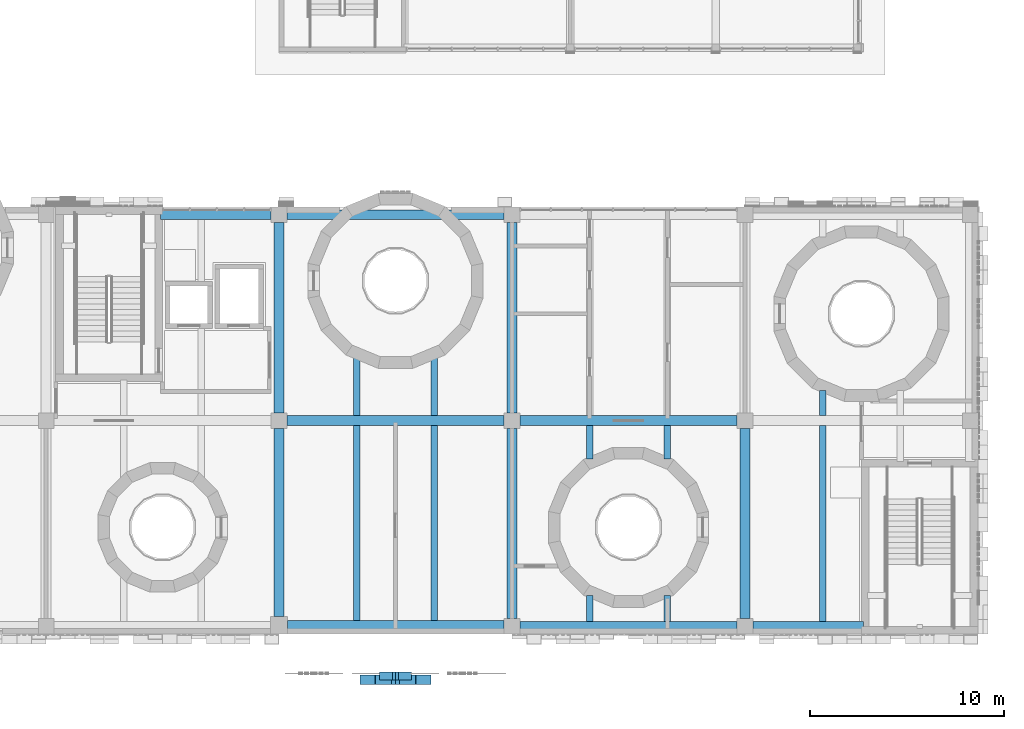
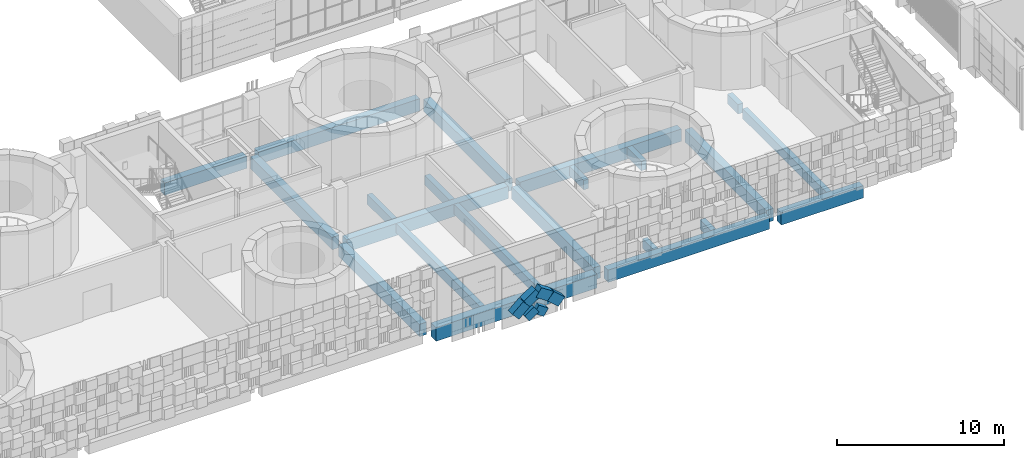
# One storey, part 4 of 92: 22 beams, 6 members.
"""IFC4 building model written with IfcOpenShell, lengths in metres."""

import ifcopenshell
import ifcopenshell.guid

model = None  # the IFC model being written
_history = None  # IfcOwnerHistory: only IFC2X3 demands one
_inside = {}  # id of a spatial element -> (the spatial element, [elements in it])
_under = {}  # id of a project, library or spatial element -> (it, [spatial elements below it])
_declared = {}  # id of a project -> (the project, [libraries it declares])
_typed = {}  # id of a type object -> (the type object, [elements of that type])
_made_of = {}  # id of a material, layer set ... -> (it, [elements and type objects made of it])


def new_model(schema):
    """Start an empty IFC model of exactly this schema.

    Asked for "IFC4X3", IfcOpenShell would pick the latest addendum, in which some entities
    have other attributes; the version numbers below select the first issue.
    IFC2X3 requires an IfcOwnerHistory on every rooted entity: one is made here for all.
    """
    global model, _history
    if schema == "IFC4X3":
        model = ifcopenshell.file(schema_version=(4, 3, 0, 0))
    else:
        model = ifcopenshell.file(schema=schema)
    _inside.clear()
    _under.clear()
    _declared.clear()
    _typed.clear()
    _made_of.clear()
    _history = None
    if model.schema == "IFC2X3":
        org = make("IfcOrganization", Name="unknown")
        user = make(
            "IfcPersonAndOrganization",
            ThePerson=make("IfcPerson", FamilyName="unknown"),
            TheOrganization=org,
        )
        app = make(
            "IfcApplication",
            ApplicationDeveloper=org,
            Version="unknown",
            ApplicationFullName="unknown",
            ApplicationIdentifier="unknown",
        )
        _history = make(
            "IfcOwnerHistory",
            OwningUser=user,
            OwningApplication=app,
            ChangeAction="ADDED",
            CreationDate=0,
        )
    return model


def make(cls, **values):
    """One entity of the class cls with the attributes given. An attribute that is None is left unset."""
    return model.create_entity(
        cls, **{name: value for name, value in values.items() if value is not None}
    )


def rooted(cls, **values):
    """An entity with a GlobalId (a new one), such as an element, a storey or a relation."""
    return make(cls, GlobalId=ifcopenshell.guid.new(), OwnerHistory=_history, **values)


def si_unit(unit_type, name, prefix=None):
    """IfcSIUnit, for example si_unit("LENGTHUNIT", "METRE", prefix="MILLI")."""
    return make("IfcSIUnit", UnitType=unit_type, Prefix=prefix, Name=name)


def assignment(units):
    """IfcUnitAssignment: the units of a project."""
    return None if units is None else make("IfcUnitAssignment", Units=units)


def point(xyz):
    """IfcCartesianPoint."""
    return None if xyz is None else make("IfcCartesianPoint", Coordinates=xyz)


def direction(xyz):
    """IfcDirection."""
    return None if xyz is None else make("IfcDirection", DirectionRatios=xyz)


def frame(location, z_axis=None, x_axis=None):
    """IfcAxis2Placement3D, a coordinate frame: its origin and axes. An axis left out is left unset."""
    return make(
        "IfcAxis2Placement3D",
        Location=point(location),
        Axis=direction(z_axis),
        RefDirection=direction(x_axis),
    )


def frame_2d(location, x_axis=None):
    """IfcAxis2Placement2D, a coordinate frame in the plane: its origin and x axis."""
    return make(
        "IfcAxis2Placement2D", Location=point(location), RefDirection=direction(x_axis)
    )


def origin():
    """The frame at (0, 0, 0) with its axes left unset."""
    return frame((0.0, 0.0, 0.0))


def origin_2d():
    """The frame at (0, 0) in the plane with its x axis left unset."""
    return frame_2d((0.0, 0.0))


def place(relative_to, where):
    """IfcLocalPlacement: puts the frame where relative to a parent placement (None: the world)."""
    return make(
        "IfcLocalPlacement", PlacementRelTo=relative_to, RelativePlacement=where
    )


def context(
    kind, dimensions, precision=None, world=None, true_north=None, identifier=None
):
    """IfcGeometricRepresentationContext, for example the 3D "Model" context."""
    return make(
        "IfcGeometricRepresentationContext",
        ContextIdentifier=identifier,
        ContextType=kind,
        CoordinateSpaceDimension=dimensions,
        Precision=precision,
        WorldCoordinateSystem=world,
        TrueNorth=true_north,
    )


def subcontext(parent, identifier, kind, view, scale=None):
    """IfcGeometricRepresentationSubContext, for example "Body" below "Model"."""
    return make(
        "IfcGeometricRepresentationSubContext",
        ContextIdentifier=identifier,
        ContextType=kind,
        ParentContext=parent,
        TargetScale=scale,
        TargetView=view,
    )


def project(units=None, contexts=None):
    """IfcProject with its units and contexts."""
    return rooted(
        "IfcProject",
        Name="project",
        RepresentationContexts=contexts,
        UnitsInContext=assignment(units),
    )


def spatial(cls, under=None, at=None, **own):
    """A site, building, storey or space (cls), placed at a placement, below another one or the project."""
    s = rooted(cls, ObjectPlacement=at, **own)
    if under is not None:
        _under.setdefault(under.id(), (under, []))[1].append(s)
    return s


def profile(cls, at=None, kind="AREA", **sizes):
    """A parametric profile (cls). Its sizes go by their IFC names, for example OverallWidth=200.0."""
    return make(cls, ProfileType=kind, Position=at, **sizes)


def rectangle(**sizes):
    """IfcRectangleProfileDef."""
    return profile("IfcRectangleProfileDef", **sizes)


def extrude(swept, where, along, depth):
    """IfcExtrudedAreaSolid: the profile swept, set in the frame where, extruded along a direction by depth."""
    return make(
        "IfcExtrudedAreaSolid",
        SweptArea=swept,
        Position=where,
        ExtrudedDirection=direction(along),
        Depth=depth,
    )


def shape(context_of_items, identifier, shape_type, items):
    """IfcShapeRepresentation: the items that make up one representation, for example the "Body"."""
    return make(
        "IfcShapeRepresentation",
        ContextOfItems=context_of_items,
        RepresentationIdentifier=identifier,
        RepresentationType=shape_type,
        Items=items,
    )


def material(Name=None, Category=None):
    """IfcMaterial."""
    return make("IfcMaterial", Name=Name, Category=Category)


def material_profile(
    of_material, cross_section, Name=None, Category=None, Priority=None
):
    """IfcMaterialProfile: a cross section and its material."""
    return make(
        "IfcMaterialProfile",
        Name=Name,
        Material=of_material,
        Profile=cross_section,
        Priority=Priority,
        Category=Category,
    )


def profile_set(profiles, Name=None, composite=None):
    """IfcMaterialProfileSet."""
    return make(
        "IfcMaterialProfileSet",
        Name=Name,
        MaterialProfiles=profiles,
        CompositeProfile=composite,
    )


def made_of(thing, what):
    """Note that an element or type object is made of a material, layer set ...; save() writes the relation."""
    if what is not None:
        _made_of.setdefault(what.id(), (what, []))[1].append(thing)
    return thing


def type_object(cls, material=None, **own):
    """A type object (cls), such as IfcWallType, which elements share."""
    return made_of(rooted(cls, **own), material)


def element(
    cls,
    number,
    at=None,
    inside=None,
    cuts=None,
    type_object=None,
    material=None,
    context=None,
    identifier="Body",
    shape_type=None,
    held_by="IfcProductDefinitionShape",
    body=None,
    shapes=None,
    **own,
):
    """One element of the class cls, such as IfcWall. Its Tag is "e" and its number.

    at: its placement. inside: the storey or other place that contains it. cuts: it is an
    opening in that element (IfcRelVoidsElement). A single representation is given by context,
    identifier, shape_type and body (its items); several are given by shapes. held_by: the class
    of the entity that holds the representations. save() writes the other relations.
    """
    e = rooted(cls, Tag="e%d" % number, ObjectPlacement=at, **own)
    if body is not None:
        shapes = [shape(context, identifier, shape_type, body)]
    if shapes is not None:
        e.Representation = make(held_by, Representations=shapes)
    if inside is not None:
        _inside.setdefault(inside.id(), (inside, []))[1].append(e)
    if cuts is not None:
        rooted(
            "IfcRelVoidsElement", RelatingBuildingElement=cuts, RelatedOpeningElement=e
        )
    if type_object is not None:
        _typed.setdefault(type_object.id(), (type_object, []))[1].append(e)
    return made_of(e, material)


def aggregate(whole, parts):
    """IfcRelAggregates: a whole, such as a stair, and the parts it consists of."""
    return rooted("IfcRelAggregates", RelatingObject=whole, RelatedObjects=parts)


def save(model, path):
    """Write the relations noted so far, then the file.

    IfcRelAggregates (storeys below a building ...), IfcRelContainedInSpatialStructure (elements
    in a storey), IfcRelDefinesByType, IfcRelAssociatesMaterial and IfcRelDeclares: one each for
    every whole, place, type object, material and project.
    """
    for whole, parts in _under.values():
        aggregate(whole, parts)
    for where, things in _inside.values():
        rooted(
            "IfcRelContainedInSpatialStructure",
            RelatedElements=things,
            RelatingStructure=where,
        )
    for kind, things in _typed.values():
        rooted("IfcRelDefinesByType", RelatedObjects=things, RelatingType=kind)
    for what, things in _made_of.values():
        rooted("IfcRelAssociatesMaterial", RelatedObjects=things, RelatingMaterial=what)
    for by, libraries in _declared.values():
        rooted("IfcRelDeclares", RelatingContext=by, RelatedDefinitions=libraries)
    model.write(path)


model = new_model("IFC4")

# Units and contexts
model_context = context("Model", 3, precision=1e-05, world=origin(), true_north=direction((0.0, 1.0)))
body_context = subcontext(model_context, "Body", "Model", "MODEL_VIEW")
ifc_project = project(units=[si_unit("LENGTHUNIT", "METRE"), si_unit("AREAUNIT", "SQUARE_METRE"), si_unit("VOLUMEUNIT", "CUBIC_METRE"), si_unit("PLANEANGLEUNIT", "RADIAN"), si_unit("MASSUNIT", "GRAM", prefix="KILO")], contexts=[model_context])

# Site, building, storey
site_placement = place(None, origin())
site = spatial("IfcSite", under=ifc_project, at=site_placement, CompositionType="ELEMENT")
building_placement = place(site_placement, origin())
building = spatial("IfcBuilding", under=site, at=building_placement, Name="Sun Court Science Centre", CompositionType="ELEMENT")
storey_placement = place(building_placement, frame((0.0, 0.0, 11.25)))
storey = spatial("IfcBuildingStorey", under=building, at=storey_placement, Name="L02", CompositionType="ELEMENT", Elevation=11.25)

# Members
ifc_material_1 = material(Name="Concrete C30/37", Category="concrete")
ifc_material_profile_1 = material_profile(ifc_material_1, rectangle(XDim=0.39990234375, YDim=0.60009765625, at=origin_2d()), Name="RC 400x600")
ifc_profile_set_1 = profile_set([ifc_material_profile_1], Name="Concrete C30/37")
member_type_1 = type_object("IfcMemberType", Name="Iwan inner arch rib RC 400x600", PredefinedType="MEMBER", material=ifc_profile_set_1)
for number, where, z_axis, x_axis, name in (
    (1, (41.336669921875, 3.85009765625, 0.139404296875), (0.831390639116, 0.0, 0.555688406564), (0.0, 1.0, 0.0), "Iwan inner arch rib west"),
    (2, (42.663330078125, 3.85009765625, 0.139404296875), (-0.831390639116, 0.0, 0.555688406564), (0.0, -1.0, 0.0), "Iwan inner arch rib east"),
):
    element("IfcMember", number, at=place(storey_placement, frame(where, z_axis=z_axis, x_axis=x_axis)), inside=storey, type_object=member_type_1, Name=name, PredefinedType="MEMBER", context=body_context, shape_type="SweptSolid", body=[
        extrude(rectangle(XDim=0.39990234375, YDim=0.60009765625, at=origin_2d()), origin(), (0.0, 0.0, 1.0), 0.7978515625),
    ])
ifc_material_2 = material(Name="Concrete C30/37", Category="concrete")
ifc_material_profile_2 = material_profile(ifc_material_2, rectangle(XDim=0.5, YDim=0.699951171875, at=origin_2d()), Name="RC 500x700")
ifc_profile_set_2 = profile_set([ifc_material_profile_2], Name="Concrete C30/37")
member_type_2 = type_object("IfcMemberType", Name="Iwan outer arch rib RC 500x700", PredefinedType="MEMBER", material=ifc_profile_set_2)
member_1_placement = place(storey_placement, frame((40.4052734375, 3.64990234375, 0.74462890625), z_axis=(0.751765436074, 0.0, 0.659430609787), x_axis=(0.0, 1.0, 0.0)))
element("IfcMember", 3, at=member_1_placement, inside=storey, type_object=member_type_2, Name="Iwan outer arch rib west", PredefinedType="MEMBER", context=body_context, shape_type="SweptSolid", body=[
    extrude(rectangle(XDim=0.5, YDim=0.699951171875, at=origin_2d()), origin(), (0.0, 0.0, 1.0), 1.00732421875),
])
member_2_placement = place(storey_placement, frame((41.16259765625, 3.64990234375, 1.408935546875), z_axis=(0.83145312086, 0.0, 0.555594913414), x_axis=(0.0, 1.0, 0.0)))
element("IfcMember", 4, at=member_2_placement, inside=storey, type_object=member_type_2, Name="Iwan outer arch rib west", PredefinedType="MEMBER", context=body_context, shape_type="SweptSolid", body=[
    extrude(rectangle(XDim=0.5, YDim=0.699951171875, at=origin_2d()), origin(), (0.0, 0.0, 1.0), 1.007080078125),
])
member_3_placement = place(storey_placement, frame((43.5947265625, 3.64990234375, 0.74462890625), z_axis=(-0.751765436074, 0.0, 0.659430609787), x_axis=(0.0, -1.0, 0.0)))
element("IfcMember", 5, at=member_3_placement, inside=storey, type_object=member_type_2, Name="Iwan outer arch rib east", PredefinedType="MEMBER", context=body_context, shape_type="SweptSolid", body=[
    extrude(rectangle(XDim=0.5, YDim=0.699951171875, at=origin_2d()), origin(), (0.0, 0.0, 1.0), 1.00732421875),
])
member_4_placement = place(storey_placement, frame((42.83740234375, 3.64990234375, 1.408935546875), z_axis=(-0.83145312086, 0.0, 0.555594913414), x_axis=(0.0, -1.0, 0.0)))
element("IfcMember", 6, at=member_4_placement, inside=storey, type_object=member_type_2, Name="Iwan outer arch rib east", PredefinedType="MEMBER", context=body_context, shape_type="SweptSolid", body=[
    extrude(rectangle(XDim=0.5, YDim=0.699951171875, at=origin_2d()), origin(), (0.0, 0.0, 1.0), 1.007080078125),
])

# Beams
ifc_material_3 = material(Name="Concrete C25/30", Category="concrete")
ifc_material_profile_3 = material_profile(ifc_material_3, rectangle(XDim=0.5, YDim=0.89990234375, at=origin_2d()), Name="RC 500x900")
ifc_profile_set_3 = profile_set([ifc_material_profile_3], Name="Concrete C25/30")
beam_type_1 = type_object("IfcBeamType", Name="RC girder 500x900", PredefinedType="BEAM", material=ifc_profile_set_3)
beam_1_placement = place(storey_placement, frame((48.39990234375, 6.39990234375, -0.75), z_axis=(1.0, 0.0, 0.0), x_axis=(0.0, 1.0, 0.0)))
element("IfcBeam", 7, at=beam_1_placement, inside=storey, type_object=beam_type_1, Name="Girder L02 line 1", PredefinedType="BEAM", context=body_context, shape_type="SweptSolid", body=[
    extrude(rectangle(XDim=0.5, YDim=0.89990234375, at=origin_2d()), origin(), (0.0, 0.0, 1.0), 11.2001953125),
])
beam_2_placement = place(storey_placement, frame((60.39990234375, 6.39990234375, -0.75), z_axis=(1.0, 0.0, 0.0), x_axis=(0.0, 1.0, 0.0)))
element("IfcBeam", 8, at=beam_2_placement, inside=storey, type_object=beam_type_1, Name="Girder L02 line 1", PredefinedType="BEAM", context=body_context, shape_type="SweptSolid", body=[
    extrude(rectangle(XDim=0.5, YDim=0.89990234375, at=origin_2d()), origin(), (0.0, 0.0, 1.0), 5.7001953125),
])
for number, where, z_axis, x_axis, name in (
    (9, (36.39990234375, 17.0, -0.75), (1.0, 0.0, 0.0), (0.0, 1.0, 0.0), "Girder L02 line 2"),
    (10, (48.39990234375, 17.0, -0.75), (1.0, 0.0, 0.0), (0.0, 1.0, 0.0), "Girder L02 line 2"),
):
    element("IfcBeam", number, at=place(storey_placement, frame(where, z_axis=z_axis, x_axis=x_axis)), inside=storey, type_object=beam_type_1, Name=name, PredefinedType="BEAM", context=body_context, shape_type="SweptSolid", body=[
        extrude(rectangle(XDim=0.5, YDim=0.89990234375, at=origin_2d()), origin(), (0.0, 0.0, 1.0), 11.2001953125),
    ])
beam_3_placement = place(storey_placement, frame((29.89990234375, 27.60009765625, -0.75), z_axis=(1.0, 0.0, 0.0), x_axis=(0.0, 1.0, 0.0)))
element("IfcBeam", 11, at=beam_3_placement, inside=storey, type_object=beam_type_1, Name="Girder L02 line 3", PredefinedType="BEAM", context=body_context, shape_type="SweptSolid", body=[
    extrude(rectangle(XDim=0.5, YDim=0.89990234375, at=origin_2d()), origin(), (0.0, 0.0, 1.0), 5.7001953125),
])
beam_4_placement = place(storey_placement, frame((36.39990234375, 27.60009765625, -0.75), z_axis=(1.0, 0.0, 0.0), x_axis=(0.0, 1.0, 0.0)))
element("IfcBeam", 12, at=beam_4_placement, inside=storey, type_object=beam_type_1, Name="Girder L02 line 3", PredefinedType="BEAM", context=body_context, shape_type="SweptSolid", body=[
    extrude(rectangle(XDim=0.5, YDim=0.89990234375, at=origin_2d()), origin(), (0.0, 0.0, 1.0), 11.2001953125),
])
beam_5_placement = place(storey_placement, frame((36.0, 6.89990234375, -0.75), z_axis=(0.0, 1.0, 0.0), x_axis=(-1.0, 0.0, 0.0)))
element("IfcBeam", 13, at=beam_5_placement, inside=storey, type_object=beam_type_1, Name="Girder L02 line D", PredefinedType="BEAM", context=body_context, shape_type="SweptSolid", body=[
    extrude(rectangle(XDim=0.5, YDim=0.89990234375, at=origin_2d()), origin(), (0.0, 0.0, 1.0), 9.7001953125),
])
for number, where, z_axis, x_axis, name in (
    (14, (36.0, 17.39990234375, -0.75), (0.0, 1.0, 0.0), (-1.0, 0.0, 0.0), "Girder L02 line D"),
    (15, (48.0, 6.800048828125, -0.75), (0.0, 1.0, 0.0), (-1.0, 0.0, 0.0), "Girder L02 line E"),
    (16, (48.0, 17.39990234375, -0.75), (0.0, 1.0, 0.0), (-1.0, 0.0, 0.0), "Girder L02 line E"),
    (17, (60.0, 6.800048828125, -0.75), (0.0, 1.0, 0.0), (-1.0, 0.0, 0.0), "Girder L02 line F"),
):
    element("IfcBeam", number, at=place(storey_placement, frame(where, z_axis=z_axis, x_axis=x_axis)), inside=storey, type_object=beam_type_1, Name=name, PredefinedType="BEAM", context=body_context, shape_type="SweptSolid", body=[
        extrude(rectangle(XDim=0.5, YDim=0.89990234375, at=origin_2d()), origin(), (0.0, 0.0, 1.0), 9.800048828125),
    ])
ifc_material_4 = material(Name="Concrete C25/30", Category="concrete")
ifc_material_profile_4 = material_profile(ifc_material_4, rectangle(XDim=0.60009765625, YDim=1.0, at=origin_2d()), Name="RC 600x1000")
ifc_profile_set_4 = profile_set([ifc_material_profile_4], Name="Concrete C25/30")
beam_type_2 = type_object("IfcBeamType", Name="RC girder 600x1000", PredefinedType="BEAM", material=ifc_profile_set_4)
beam_6_placement = place(storey_placement, frame((36.449951171875, 6.39990234375, -0.800048828125), z_axis=(1.0, 0.0, 0.0), x_axis=(0.0, 1.0, 0.0)))
element("IfcBeam", 18, at=beam_6_placement, inside=storey, type_object=beam_type_2, Name="Girder L02 line 1", PredefinedType="BEAM", context=body_context, shape_type="SweptSolid", body=[
    extrude(rectangle(XDim=0.60009765625, YDim=1.0, at=origin_2d()), origin(), (0.0, 0.0, 1.0), 11.150146484375),
])
ifc_material_5 = material(Name="Concrete C25/30", Category="concrete")
ifc_material_profile_5 = material_profile(ifc_material_5, rectangle(XDim=0.35009765625, YDim=0.699951171875, at=origin_2d()), Name="RC 350x700")
ifc_profile_set_5 = profile_set([ifc_material_profile_5], Name="Concrete C25/30")
beam_type_3 = type_object("IfcBeamType", Name="RC joist 350x700", PredefinedType="JOIST", material=ifc_profile_set_5)
beam_7_placement = place(storey_placement, frame((40.0, 6.699951171875, -0.64990234375), z_axis=(0.0, 1.0, 0.0), x_axis=(-1.0, 0.0, 0.0)))
element("IfcBeam", 19, at=beam_7_placement, inside=storey, type_object=beam_type_3, Name="Joist L02", PredefinedType="JOIST", context=body_context, shape_type="SweptSolid", body=[
    extrude(rectangle(XDim=0.35009765625, YDim=0.699951171875, at=origin_2d()), origin(), (0.0, 0.0, 1.0), 10.050048828125),
])
beam_8_placement = place(storey_placement, frame((40.0, 17.25, -0.64990234375), z_axis=(0.0, 1.0, 0.0), x_axis=(-1.0, 0.0, 0.0)))
element("IfcBeam", 20, at=beam_8_placement, inside=storey, type_object=beam_type_3, Name="Joist L02", PredefinedType="JOIST", context=body_context, shape_type="SweptSolid", body=[
    extrude(rectangle(XDim=0.35009765625, YDim=0.699951171875, at=origin_2d()), origin(), (0.0, 0.0, 1.0), 3.00341796875),
])
beam_9_placement = place(storey_placement, frame((44.0, 6.699951171875, -0.64990234375), z_axis=(0.0, 1.0, 0.0), x_axis=(-1.0, 0.0, 0.0)))
element("IfcBeam", 21, at=beam_9_placement, inside=storey, type_object=beam_type_3, Name="Joist L02", PredefinedType="JOIST", context=body_context, shape_type="SweptSolid", body=[
    extrude(rectangle(XDim=0.35009765625, YDim=0.699951171875, at=origin_2d()), origin(), (0.0, 0.0, 1.0), 10.050048828125),
])
beam_10_placement = place(storey_placement, frame((44.0, 17.25, -0.64990234375), z_axis=(0.0, 1.0, 0.0), x_axis=(-1.0, 0.0, 0.0)))
element("IfcBeam", 22, at=beam_10_placement, inside=storey, type_object=beam_type_3, Name="Joist L02", PredefinedType="JOIST", context=body_context, shape_type="SweptSolid", body=[
    extrude(rectangle(XDim=0.35009765625, YDim=0.699951171875, at=origin_2d()), origin(), (0.0, 0.0, 1.0), 3.00341796875),
])
beam_11_placement = place(storey_placement, frame((52.0, 6.64990234375, -0.64990234375), z_axis=(0.0, 1.0, 0.0), x_axis=(-1.0, 0.0, 0.0)))
element("IfcBeam", 23, at=beam_11_placement, inside=storey, type_object=beam_type_3, Name="Joist L02", PredefinedType="JOIST", context=body_context, shape_type="SweptSolid", body=[
    extrude(rectangle(XDim=0.35009765625, YDim=0.699951171875, at=origin_2d()), origin(), (0.0, 0.0, 1.0), 1.328125),
])
beam_12_placement = place(storey_placement, frame((52.0, 15.02197265625, -0.64990234375), z_axis=(0.0, 1.0, 0.0), x_axis=(-1.0, 0.0, 0.0)))
element("IfcBeam", 24, at=beam_12_placement, inside=storey, type_object=beam_type_3, Name="Joist L02", PredefinedType="JOIST", context=body_context, shape_type="SweptSolid", body=[
    extrude(rectangle(XDim=0.35009765625, YDim=0.699951171875, at=origin_2d()), origin(), (0.0, 0.0, 1.0), 1.72802734375),
])
beam_13_placement = place(storey_placement, frame((56.0, 6.64990234375, -0.64990234375), z_axis=(0.0, 1.0, 0.0), x_axis=(-1.0, 0.0, 0.0)))
element("IfcBeam", 25, at=beam_13_placement, inside=storey, type_object=beam_type_3, Name="Joist L02", PredefinedType="JOIST", context=body_context, shape_type="SweptSolid", body=[
    extrude(rectangle(XDim=0.35009765625, YDim=0.699951171875, at=origin_2d()), origin(), (0.0, 0.0, 1.0), 1.328125),
])
beam_14_placement = place(storey_placement, frame((56.0, 15.02197265625, -0.64990234375), z_axis=(0.0, 1.0, 0.0), x_axis=(-1.0, 0.0, 0.0)))
element("IfcBeam", 26, at=beam_14_placement, inside=storey, type_object=beam_type_3, Name="Joist L02", PredefinedType="JOIST", context=body_context, shape_type="SweptSolid", body=[
    extrude(rectangle(XDim=0.35009765625, YDim=0.699951171875, at=origin_2d()), origin(), (0.0, 0.0, 1.0), 1.72802734375),
])
beam_15_placement = place(storey_placement, frame((64.0, 6.64990234375, -0.64990234375), z_axis=(0.0, 1.0, 0.0), x_axis=(-1.0, 0.0, 0.0)))
element("IfcBeam", 27, at=beam_15_placement, inside=storey, type_object=beam_type_3, Name="Joist L02", PredefinedType="JOIST", context=body_context, shape_type="SweptSolid", body=[
    extrude(rectangle(XDim=0.35009765625, YDim=0.699951171875, at=origin_2d()), origin(), (0.0, 0.0, 1.0), 10.10009765625),
])
beam_16_placement = place(storey_placement, frame((64.0, 17.25, -0.64990234375), z_axis=(0.0, 1.0, 0.0), x_axis=(-1.0, 0.0, 0.0)))
element("IfcBeam", 28, at=beam_16_placement, inside=storey, type_object=beam_type_3, Name="Joist L02", PredefinedType="JOIST", context=body_context, shape_type="SweptSolid", body=[
    extrude(rectangle(XDim=0.35009765625, YDim=0.699951171875, at=origin_2d()), origin(), (0.0, 0.0, 1.0), 1.30322265625),
])

save(model, "model.ifc")
